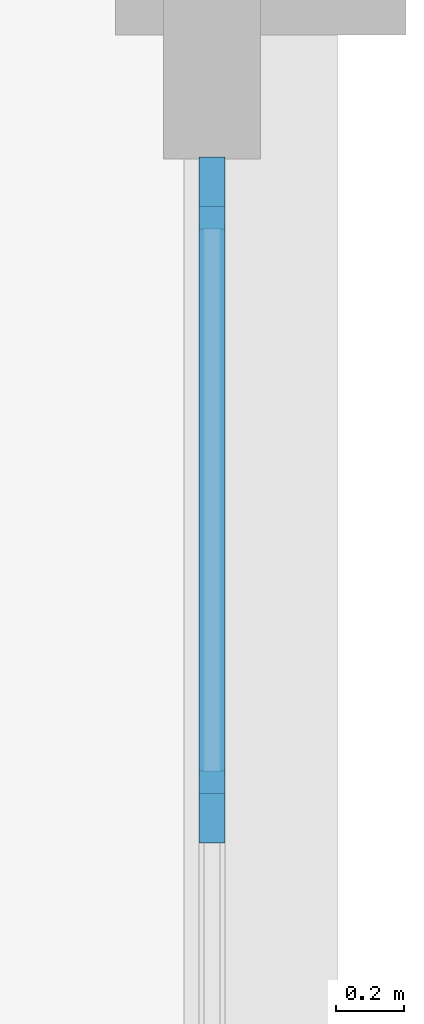
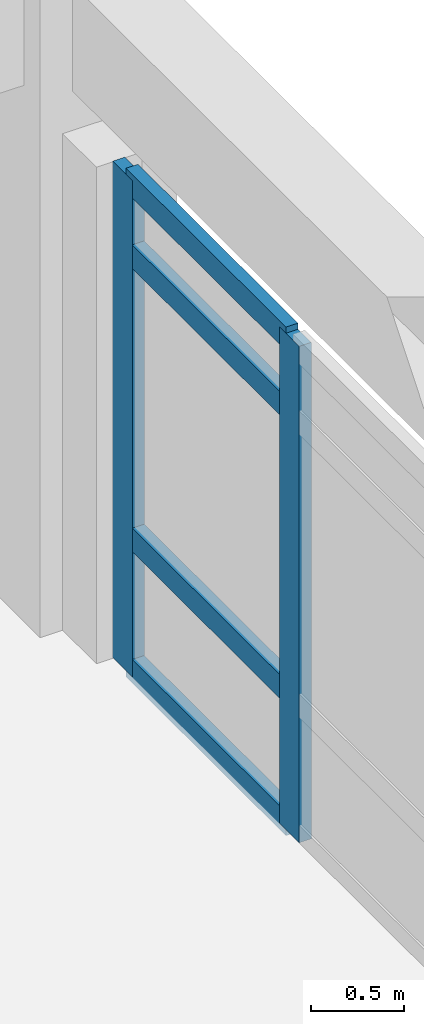
# One storey, part 38 of 98: 6 members, 1 element without a shape of its own.
"""IFC4 building model written with IfcOpenShell, lengths in metres."""

import ifcopenshell
import ifcopenshell.guid

model = None  # the IFC model being written
_history = None  # IfcOwnerHistory: only IFC2X3 demands one
_inside = {}  # id of a spatial element -> (the spatial element, [elements in it])
_under = {}  # id of a project, library or spatial element -> (it, [spatial elements below it])
_declared = {}  # id of a project -> (the project, [libraries it declares])
_typed = {}  # id of a type object -> (the type object, [elements of that type])
_made_of = {}  # id of a material, layer set ... -> (it, [elements and type objects made of it])


def new_model(schema):
    """Start an empty IFC model of exactly this schema.

    Asked for "IFC4X3", IfcOpenShell would pick the latest addendum, in which some entities
    have other attributes; the version numbers below select the first issue.
    IFC2X3 requires an IfcOwnerHistory on every rooted entity: one is made here for all.
    """
    global model, _history
    if schema == "IFC4X3":
        model = ifcopenshell.file(schema_version=(4, 3, 0, 0))
    else:
        model = ifcopenshell.file(schema=schema)
    _inside.clear()
    _under.clear()
    _declared.clear()
    _typed.clear()
    _made_of.clear()
    _history = None
    if model.schema == "IFC2X3":
        org = make("IfcOrganization", Name="unknown")
        user = make(
            "IfcPersonAndOrganization",
            ThePerson=make("IfcPerson", FamilyName="unknown"),
            TheOrganization=org,
        )
        app = make(
            "IfcApplication",
            ApplicationDeveloper=org,
            Version="unknown",
            ApplicationFullName="unknown",
            ApplicationIdentifier="unknown",
        )
        _history = make(
            "IfcOwnerHistory",
            OwningUser=user,
            OwningApplication=app,
            ChangeAction="ADDED",
            CreationDate=0,
        )
    return model


def make(cls, **values):
    """One entity of the class cls with the attributes given. An attribute that is None is left unset."""
    return model.create_entity(
        cls, **{name: value for name, value in values.items() if value is not None}
    )


def rooted(cls, **values):
    """An entity with a GlobalId (a new one), such as an element, a storey or a relation."""
    return make(cls, GlobalId=ifcopenshell.guid.new(), OwnerHistory=_history, **values)


def si_unit(unit_type, name, prefix=None):
    """IfcSIUnit, for example si_unit("LENGTHUNIT", "METRE", prefix="MILLI")."""
    return make("IfcSIUnit", UnitType=unit_type, Prefix=prefix, Name=name)


def assignment(units):
    """IfcUnitAssignment: the units of a project."""
    return None if units is None else make("IfcUnitAssignment", Units=units)


def point(xyz):
    """IfcCartesianPoint."""
    return None if xyz is None else make("IfcCartesianPoint", Coordinates=xyz)


def direction(xyz):
    """IfcDirection."""
    return None if xyz is None else make("IfcDirection", DirectionRatios=xyz)


def frame(location, z_axis=None, x_axis=None):
    """IfcAxis2Placement3D, a coordinate frame: its origin and axes. An axis left out is left unset."""
    return make(
        "IfcAxis2Placement3D",
        Location=point(location),
        Axis=direction(z_axis),
        RefDirection=direction(x_axis),
    )


def frame_2d(location, x_axis=None):
    """IfcAxis2Placement2D, a coordinate frame in the plane: its origin and x axis."""
    return make(
        "IfcAxis2Placement2D", Location=point(location), RefDirection=direction(x_axis)
    )


def origin():
    """The frame at (0, 0, 0) with its axes left unset."""
    return frame((0.0, 0.0, 0.0))


def origin_2d():
    """The frame at (0, 0) in the plane with its x axis left unset."""
    return frame_2d((0.0, 0.0))


def place(relative_to, where):
    """IfcLocalPlacement: puts the frame where relative to a parent placement (None: the world)."""
    return make(
        "IfcLocalPlacement", PlacementRelTo=relative_to, RelativePlacement=where
    )


def context(
    kind, dimensions, precision=None, world=None, true_north=None, identifier=None
):
    """IfcGeometricRepresentationContext, for example the 3D "Model" context."""
    return make(
        "IfcGeometricRepresentationContext",
        ContextIdentifier=identifier,
        ContextType=kind,
        CoordinateSpaceDimension=dimensions,
        Precision=precision,
        WorldCoordinateSystem=world,
        TrueNorth=true_north,
    )


def subcontext(parent, identifier, kind, view, scale=None):
    """IfcGeometricRepresentationSubContext, for example "Body" below "Model"."""
    return make(
        "IfcGeometricRepresentationSubContext",
        ContextIdentifier=identifier,
        ContextType=kind,
        ParentContext=parent,
        TargetScale=scale,
        TargetView=view,
    )


def project(units=None, contexts=None):
    """IfcProject with its units and contexts."""
    return rooted(
        "IfcProject",
        Name="project",
        RepresentationContexts=contexts,
        UnitsInContext=assignment(units),
    )


def spatial(cls, under=None, at=None, **own):
    """A site, building, storey or space (cls), placed at a placement, below another one or the project."""
    s = rooted(cls, ObjectPlacement=at, **own)
    if under is not None:
        _under.setdefault(under.id(), (under, []))[1].append(s)
    return s


def profile(cls, at=None, kind="AREA", **sizes):
    """A parametric profile (cls). Its sizes go by their IFC names, for example OverallWidth=200.0."""
    return make(cls, ProfileType=kind, Position=at, **sizes)


def rectangle(**sizes):
    """IfcRectangleProfileDef."""
    return profile("IfcRectangleProfileDef", **sizes)


def extrude(swept, where, along, depth):
    """IfcExtrudedAreaSolid: the profile swept, set in the frame where, extruded along a direction by depth."""
    return make(
        "IfcExtrudedAreaSolid",
        SweptArea=swept,
        Position=where,
        ExtrudedDirection=direction(along),
        Depth=depth,
    )


def shape(context_of_items, identifier, shape_type, items):
    """IfcShapeRepresentation: the items that make up one representation, for example the "Body"."""
    return make(
        "IfcShapeRepresentation",
        ContextOfItems=context_of_items,
        RepresentationIdentifier=identifier,
        RepresentationType=shape_type,
        Items=items,
    )


def material(Name=None, Category=None):
    """IfcMaterial."""
    return make("IfcMaterial", Name=Name, Category=Category)


def layer(
    of_material, thickness, ventilated=None, Name=None, Category=None, Priority=None
):
    """IfcMaterialLayer: one layer of a wall or slab, of a material (None: an air gap)."""
    return make(
        "IfcMaterialLayer",
        Material=of_material,
        LayerThickness=thickness,
        IsVentilated=ventilated,
        Name=Name,
        Category=Category,
        Priority=Priority,
    )


def layer_set(layers, Name=None):
    """IfcMaterialLayerSet."""
    return make("IfcMaterialLayerSet", MaterialLayers=layers, LayerSetName=Name)


def material_profile(
    of_material, cross_section, Name=None, Category=None, Priority=None
):
    """IfcMaterialProfile: a cross section and its material."""
    return make(
        "IfcMaterialProfile",
        Name=Name,
        Material=of_material,
        Profile=cross_section,
        Priority=Priority,
        Category=Category,
    )


def profile_set(profiles, Name=None, composite=None):
    """IfcMaterialProfileSet."""
    return make(
        "IfcMaterialProfileSet",
        Name=Name,
        MaterialProfiles=profiles,
        CompositeProfile=composite,
    )


def made_of(thing, what):
    """Note that an element or type object is made of a material, layer set ...; save() writes the relation."""
    if what is not None:
        _made_of.setdefault(what.id(), (what, []))[1].append(thing)
    return thing


def type_object(cls, material=None, **own):
    """A type object (cls), such as IfcWallType, which elements share."""
    return made_of(rooted(cls, **own), material)


def element(
    cls,
    number,
    at=None,
    inside=None,
    cuts=None,
    type_object=None,
    material=None,
    context=None,
    identifier="Body",
    shape_type=None,
    held_by="IfcProductDefinitionShape",
    body=None,
    shapes=None,
    **own,
):
    """One element of the class cls, such as IfcWall. Its Tag is "e" and its number.

    at: its placement. inside: the storey or other place that contains it. cuts: it is an
    opening in that element (IfcRelVoidsElement). A single representation is given by context,
    identifier, shape_type and body (its items); several are given by shapes. held_by: the class
    of the entity that holds the representations. save() writes the other relations.
    """
    e = rooted(cls, Tag="e%d" % number, ObjectPlacement=at, **own)
    if body is not None:
        shapes = [shape(context, identifier, shape_type, body)]
    if shapes is not None:
        e.Representation = make(held_by, Representations=shapes)
    if inside is not None:
        _inside.setdefault(inside.id(), (inside, []))[1].append(e)
    if cuts is not None:
        rooted(
            "IfcRelVoidsElement", RelatingBuildingElement=cuts, RelatedOpeningElement=e
        )
    if type_object is not None:
        _typed.setdefault(type_object.id(), (type_object, []))[1].append(e)
    return made_of(e, material)


def aggregate(whole, parts):
    """IfcRelAggregates: a whole, such as a stair, and the parts it consists of."""
    return rooted("IfcRelAggregates", RelatingObject=whole, RelatedObjects=parts)


def save(model, path):
    """Write the relations noted so far, then the file.

    IfcRelAggregates (storeys below a building ...), IfcRelContainedInSpatialStructure (elements
    in a storey), IfcRelDefinesByType, IfcRelAssociatesMaterial and IfcRelDeclares: one each for
    every whole, place, type object, material and project.
    """
    for whole, parts in _under.values():
        aggregate(whole, parts)
    for where, things in _inside.values():
        rooted(
            "IfcRelContainedInSpatialStructure",
            RelatedElements=things,
            RelatingStructure=where,
        )
    for kind, things in _typed.values():
        rooted("IfcRelDefinesByType", RelatedObjects=things, RelatingType=kind)
    for what, things in _made_of.values():
        rooted("IfcRelAssociatesMaterial", RelatedObjects=things, RelatingMaterial=what)
    for by, libraries in _declared.values():
        rooted("IfcRelDeclares", RelatingContext=by, RelatedDefinitions=libraries)
    model.write(path)


model = new_model("IFC4")

# Units and contexts
model_context = context("Model", 3, precision=1e-05, world=origin(), true_north=direction((0.0, 1.0)))
body_context = subcontext(model_context, "Body", "Model", "MODEL_VIEW")
ifc_project = project(units=[si_unit("LENGTHUNIT", "METRE"), si_unit("AREAUNIT", "SQUARE_METRE"), si_unit("VOLUMEUNIT", "CUBIC_METRE"), si_unit("PLANEANGLEUNIT", "RADIAN"), si_unit("MASSUNIT", "GRAM", prefix="KILO")], contexts=[model_context])

# Site, building, storey
site_placement = place(None, origin())
site = spatial("IfcSite", under=ifc_project, at=site_placement, CompositionType="ELEMENT")
building_placement = place(site_placement, origin())
building = spatial("IfcBuilding", under=site, at=building_placement, Name="Solenvale Faculty of Natural Sciences", CompositionType="ELEMENT")
storey_placement = place(building_placement, frame((0.0, 0.0, 9.0)))
storey = spatial("IfcBuildingStorey", under=building, at=storey_placement, Name="L02", CompositionType="ELEMENT", Elevation=9.0)

# Curtain wall, members
ifc_material = material(Name="Anodised bronze aluminium", Category="aluminium")
ifc_layer = layer(ifc_material, 0.215087890625)
ifc_layer_set = layer_set([ifc_layer], Name="Anodised bronze aluminium")
curtain_wall_type = type_object("IfcCurtainWallType", Name="CW-ATR-UNIT", PredefinedType="USERDEFINED", material=ifc_layer_set)
curtain_wall_placement = place(storey_placement, origin())
curtain_wall = element("IfcCurtainWall", 1, at=curtain_wall_placement, inside=storey, type_object=curtain_wall_type, Name="L02 Curtain Wall CW-L02-P1-E7-B3", ObjectType="UNITISED CURTAIN WALL", PredefinedType="USERDEFINED")
ifc_material_profile_1 = material_profile(ifc_material, rectangle(XDim=0.074951171875, YDim=0.2099609375, at=origin_2d()), Name="ALU-MUL-75x210")
ifc_profile_set_1 = profile_set([ifc_material_profile_1], Name="Anodised bronze aluminium")
member_type_1 = type_object("IfcMemberType", Name="CWM-ALU-75x210", PredefinedType="MULLION", material=ifc_profile_set_1)
member_1_placement = place(storey_placement, frame((57.45751953125, 62.11669921875, 0.0), z_axis=(0.0, 0.0, 1.0), x_axis=(-1.0, 0.0, 0.0)))
member_1 = element("IfcMember", 2, at=member_1_placement, type_object=member_type_1, Name="CW-01 mullion 3", PredefinedType="MULLION", context=body_context, shape_type="SweptSolid", body=[
    extrude(rectangle(XDim=0.074951171875, YDim=0.2099609375, at=origin_2d()), origin(), (0.0, 0.0, 1.0), 3.260009765625),
])
member_2_placement = place(storey_placement, frame((57.45751953125, 63.91259765625, 0.0), z_axis=(0.0, 0.0, 1.0), x_axis=(-1.0, 0.0, 0.0)))
member_2 = element("IfcMember", 3, at=member_2_placement, type_object=member_type_1, Name="CW-01 mullion 4", PredefinedType="MULLION", context=body_context, shape_type="SweptSolid", body=[
    extrude(rectangle(XDim=0.074951171875, YDim=0.2099609375, at=origin_2d()), origin(), (0.0, 0.0, 1.0), 3.260009765625),
])
ifc_material_profile_2 = material_profile(ifc_material, rectangle(XDim=0.074951171875, YDim=0.155029296875, at=origin_2d()), Name="ALU-TRN-75x155")
ifc_profile_set_2 = profile_set([ifc_material_profile_2], Name="Anodised bronze aluminium")
member_type_2 = type_object("IfcMemberType", Name="CWT-ALU-75x155", PredefinedType="USERDEFINED", material=ifc_profile_set_2)
member_3_placement = place(storey_placement, frame((57.45751953125, 62.154052734375, 0.03759765625), z_axis=(0.0, 1.0, 0.0), x_axis=(-1.0, 0.0, 0.0)))
member_3 = element("IfcMember", 4, at=member_3_placement, type_object=member_type_2, Name="CW-01 transom 3.1", ObjectType="TRANSOM", PredefinedType="USERDEFINED", context=body_context, shape_type="SweptSolid", body=[
    extrude(rectangle(XDim=0.074951171875, YDim=0.155029296875, at=origin_2d()), origin(), (0.0, 0.0, 1.0), 1.720947265625),
])
member_4_placement = place(storey_placement, frame((57.45751953125, 62.154052734375, 0.89990234375), z_axis=(0.0, 1.0, 0.0), x_axis=(-1.0, 0.0, 0.0)))
member_4 = element("IfcMember", 5, at=member_4_placement, type_object=member_type_2, Name="CW-01 transom 3.2", ObjectType="TRANSOM", PredefinedType="USERDEFINED", context=body_context, shape_type="SweptSolid", body=[
    extrude(rectangle(XDim=0.074951171875, YDim=0.155029296875, at=origin_2d()), origin(), (0.0, 0.0, 1.0), 1.720947265625),
])
member_5_placement = place(storey_placement, frame((57.45751953125, 62.154052734375, 2.760009765625), z_axis=(0.0, 1.0, 0.0), x_axis=(-1.0, 0.0, 0.0)))
member_5 = element("IfcMember", 6, at=member_5_placement, type_object=member_type_2, Name="CW-01 transom 3.3", ObjectType="TRANSOM", PredefinedType="USERDEFINED", context=body_context, shape_type="SweptSolid", body=[
    extrude(rectangle(XDim=0.074951171875, YDim=0.155029296875, at=origin_2d()), origin(), (0.0, 0.0, 1.0), 1.720947265625),
])
member_6_placement = place(storey_placement, frame((57.45751953125, 62.154052734375, 3.222412109375), z_axis=(0.0, 1.0, 0.0), x_axis=(-1.0, 0.0, 0.0)))
member_6 = element("IfcMember", 7, at=member_6_placement, type_object=member_type_2, Name="CW-01 transom 3.4", ObjectType="TRANSOM", PredefinedType="USERDEFINED", context=body_context, shape_type="SweptSolid", body=[
    extrude(rectangle(XDim=0.074951171875, YDim=0.155029296875, at=origin_2d()), origin(), (0.0, 0.0, 1.0), 1.720947265625),
])
aggregate(curtain_wall, [member_1, member_2, member_3, member_4, member_5, member_6])

save(model, "model.ifc")
